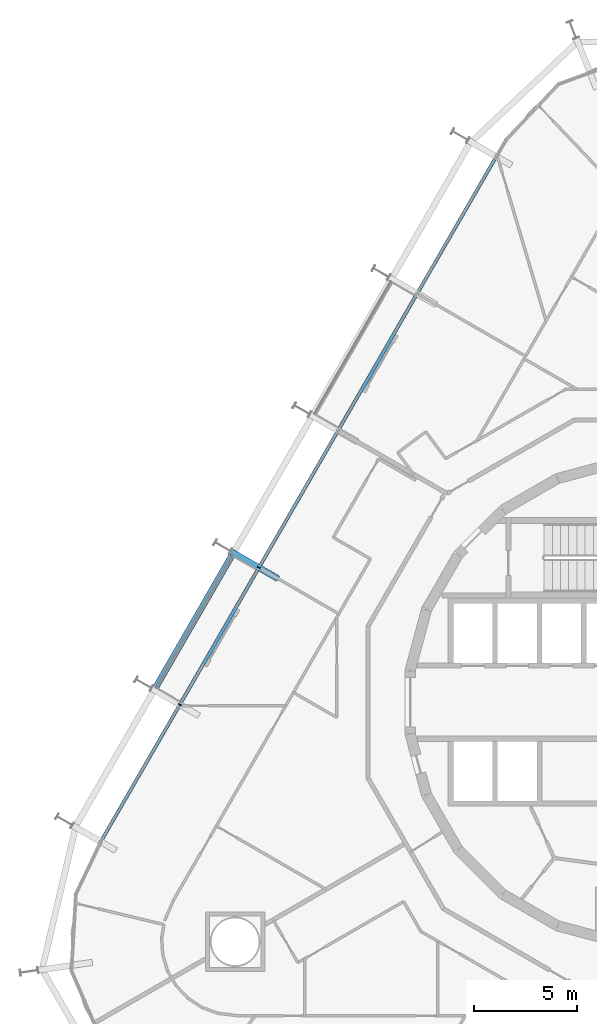
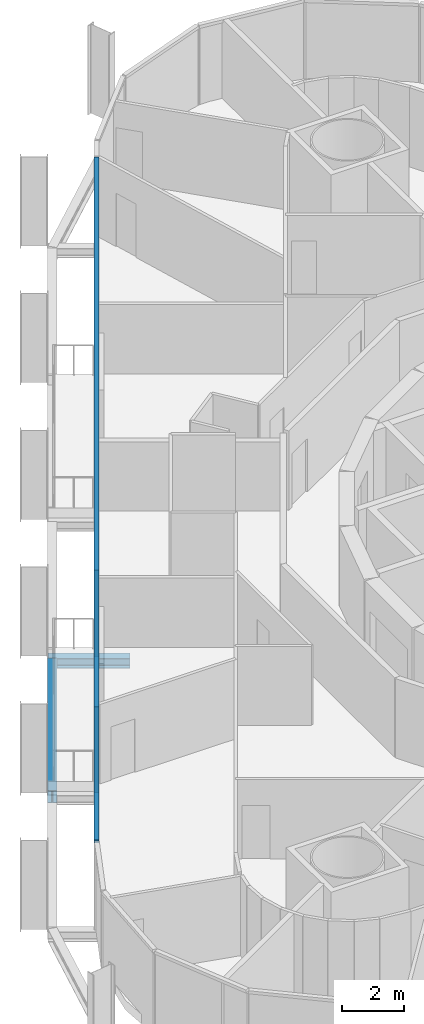
# One storey, part 5 of 19: 3 members, 2 beams, 1 element without a shape of its own.
"""IFC4 building model written with IfcOpenShell, lengths in metres."""

from ifc_helpers import new_model, si_unit, direction, frame, origin, origin_2d, place, context, subcontext, project, spatial, rectangle, i_section, extrude, material, layer, layer_set, material_profile, profile_set, type_object, element, aggregate, save


model = new_model("IFC4")

# Units and contexts
model_context = context("Model", 3, precision=1e-05, world=origin(), true_north=direction((0.0, 1.0)))
body_context = subcontext(model_context, "Body", "Model", "MODEL_VIEW")
ifc_project = project(units=[si_unit("LENGTHUNIT", "METRE"), si_unit("AREAUNIT", "SQUARE_METRE"), si_unit("VOLUMEUNIT", "CUBIC_METRE"), si_unit("PLANEANGLEUNIT", "RADIAN"), si_unit("MASSUNIT", "GRAM", prefix="KILO")], contexts=[model_context])

# Site, building, storey
site_placement = place(None, origin())
site = spatial("IfcSite", under=ifc_project, at=site_placement, CompositionType="ELEMENT")
building_placement = place(site_placement, origin())
building = spatial("IfcBuilding", under=site, at=building_placement, Name="Spindle Arch Residences", CompositionType="ELEMENT")
storey_placement = place(building_placement, frame((0.0, 0.0, 45.39990234375)))
storey = spatial("IfcBuildingStorey", under=building, at=storey_placement, Name="L09", CompositionType="ELEMENT", Elevation=45.39990234375)

# Curtain wall, members
ifc_material_1 = material(Name="Aluminium bronze unitised frame with tinted glass", Category="aluminium")
ifc_layer = layer(ifc_material_1, 0.159912109375)
ifc_layer_set = layer_set([ifc_layer], Name="CW-C typical residential unitised wall")
curtain_wall_type = type_object("IfcCurtainWallType", Name="CW-C typical residential unitised wall", PredefinedType="NOTDEFINED", material=ifc_layer_set)
curtain_wall_placement = place(storey_placement, origin())
curtain_wall = element("IfcCurtainWall", 1, at=curtain_wall_placement, inside=storey, type_object=curtain_wall_type, Name="CW-C L09 run 4", PredefinedType="NOTDEFINED")
ifc_material_2 = material(Name="Aluminium bronze anodised mullion", Category="aluminium")
ifc_material_profile_1 = material_profile(ifc_material_2, rectangle(XDim=0.159912109375, YDim=0.06005859375, at=origin_2d()), Name="MU 60x160")
ifc_profile_set_1 = profile_set([ifc_material_profile_1], Name="Aluminium bronze anodised mullion")
member_type_1 = type_object("IfcMemberType", Name="Bronze mullion 60x160", PredefinedType="MULLION", material=ifc_profile_set_1)
member_1_placement = place(storey_placement, frame((-18.9892578125, 6.529296875, -0.3798828125), z_axis=(0.0, 0.0, 1.0), x_axis=(0.866025403784, -0.5, 0.0)))
member_1 = element("IfcMember", 2, at=member_1_placement, type_object=member_type_1, Name="CW-C mullion 16", PredefinedType="MULLION", context=body_context, shape_type="SweptSolid", body=[
    extrude(rectangle(XDim=0.159912109375, YDim=0.06005859375, at=origin_2d()), origin(), (0.0, 0.0, 1.0), 3.3798828125),
])
member_2_placement = place(storey_placement, frame((-22.829345703125, -0.121826171875, -0.3798828125), z_axis=(0.0, 0.0, 1.0), x_axis=(0.866025403784, -0.5, 0.0)))
member_2 = element("IfcMember", 3, at=member_2_placement, type_object=member_type_1, Name="CW-C mullion 17", PredefinedType="MULLION", context=body_context, shape_type="SweptSolid", body=[
    extrude(rectangle(XDim=0.159912109375, YDim=0.06005859375, at=origin_2d()), origin(), (0.0, 0.0, 1.0), 3.3798828125),
])
ifc_material_3 = material(Name="Aluminium bronze anodised transom", Category="aluminium")
ifc_material_profile_2 = material_profile(ifc_material_3, rectangle(XDim=0.159912109375, YDim=0.1201171875, at=origin_2d()), Name="TR 120x160")
ifc_profile_set_2 = profile_set([ifc_material_profile_2], Name="Aluminium bronze anodised transom")
member_type_2 = type_object("IfcMemberType", Name="Bronze transom 120x160", PredefinedType="USERDEFINED", material=ifc_profile_set_2)
member_3_placement = place(storey_placement, frame((-7.484130859375, 26.456787109375, 3.06005859375), z_axis=(-0.50000099666, -0.866024828362, 0.0), x_axis=(0.866024828362, -0.50000099666, 0.0)))
member_3 = element("IfcMember", 4, at=member_3_placement, type_object=member_type_2, Name="CW-C transom 00", ObjectType="TRANSOM", PredefinedType="USERDEFINED", context=body_context, shape_type="SweptSolid", body=[
    extrude(rectangle(XDim=0.159912109375, YDim=0.1201171875, at=origin_2d()), origin(), (0.0, 0.0, 1.0), 38.34033203125),
])
aggregate(curtain_wall, [member_3, member_1, member_2])

# Beams
ifc_material_4 = material(Name="Steel S460ML, intumescent coating R 120", Category="steel")
ifc_material_profile_3 = material_profile(ifc_material_4, i_section(OverallWidth=0.300048828125, OverallDepth=0.5, WebThickness=0.014404296875, FlangeThickness=0.028076171875, FilletRadius=0.027099609375, at=origin_2d()), Name="HEB 500")
ifc_profile_set_3 = profile_set([ifc_material_profile_3], Name="Steel S460ML, intumescent coating R 120")
beam_type_1 = type_object("IfcBeamType", Name="Exoskeleton edge beam HEB 500", PredefinedType="BEAM", material=ifc_profile_set_3)
beam_1_placement = place(storey_placement, frame((-20.29541015625, 7.13330078125, -0.6298828125), z_axis=(-0.49998923004, -0.866031621735, 0.0), x_axis=(0.866031621735, -0.49998923004, 0.0)))
element("IfcBeam", 5, at=beam_1_placement, inside=storey, type_object=beam_type_1, Name="Exoskeleton edge beam 17", PredefinedType="BEAM", context=body_context, shape_type="SweptSolid", body=[
    extrude(i_section(OverallWidth=0.300048828125, OverallDepth=0.5, WebThickness=0.014404296875, FlangeThickness=0.028076171875, FilletRadius=0.027099609375, at=origin_2d()), origin(), (0.0, 0.0, 1.0), 7.420166015625),
])
ifc_material_5 = material(Name="Steel S460ML, intumescent coating R 120", Category="steel")
ifc_material_profile_4 = material_profile(ifc_material_5, i_section(OverallWidth=0.300048828125, OverallDepth=0.389892578125, WebThickness=0.010986328125, FlangeThickness=0.01904296875, FilletRadius=0.027099609375, at=origin_2d()), Name="HEA 400")
ifc_profile_set_4 = profile_set([ifc_material_profile_4], Name="Steel S460ML, intumescent coating R 120")
beam_type_2 = type_object("IfcBeamType", Name="Floor outrigger HEA 400", PredefinedType="BEAM", material=ifc_profile_set_4)
beam_2_placement = place(storey_placement, frame((-20.34912109375, 7.314453125, -0.574951171875), z_axis=(0.866052124492, -0.499953715521, 0.0), x_axis=(0.499953715521, 0.866052124492, 0.0)))
element("IfcBeam", 6, at=beam_2_placement, inside=storey, type_object=beam_type_2, Name="Floor outrigger 17", PredefinedType="BEAM", context=body_context, shape_type="SweptSolid", body=[
    extrude(i_section(OverallWidth=0.300048828125, OverallDepth=0.389892578125, WebThickness=0.010986328125, FlangeThickness=0.01904296875, FilletRadius=0.027099609375, at=origin_2d()), origin(), (0.0, 0.0, 1.0), 2.650146484375),
])

save(model, "model.ifc")
